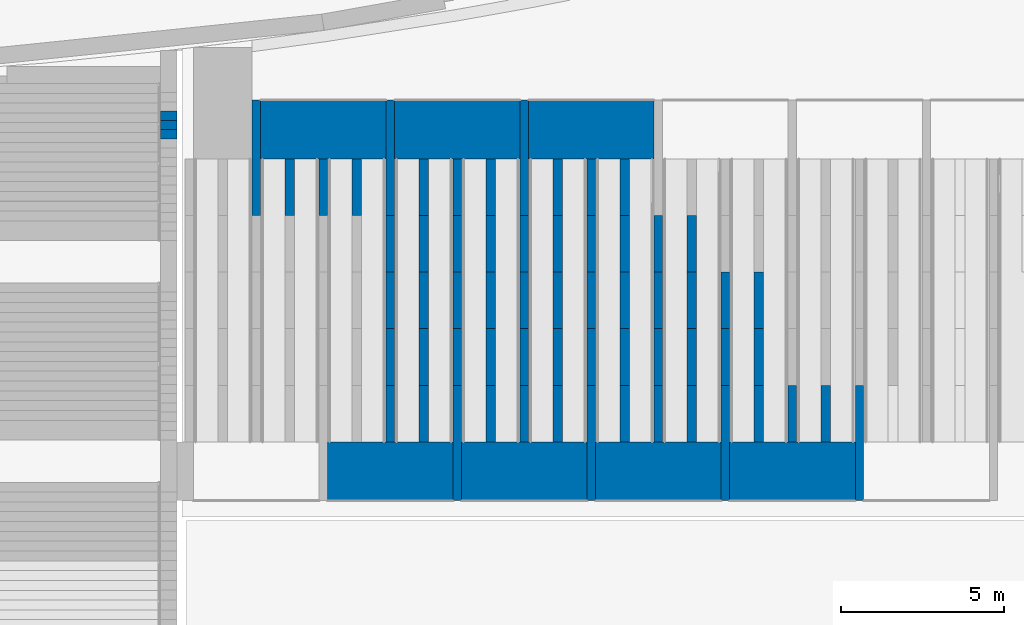
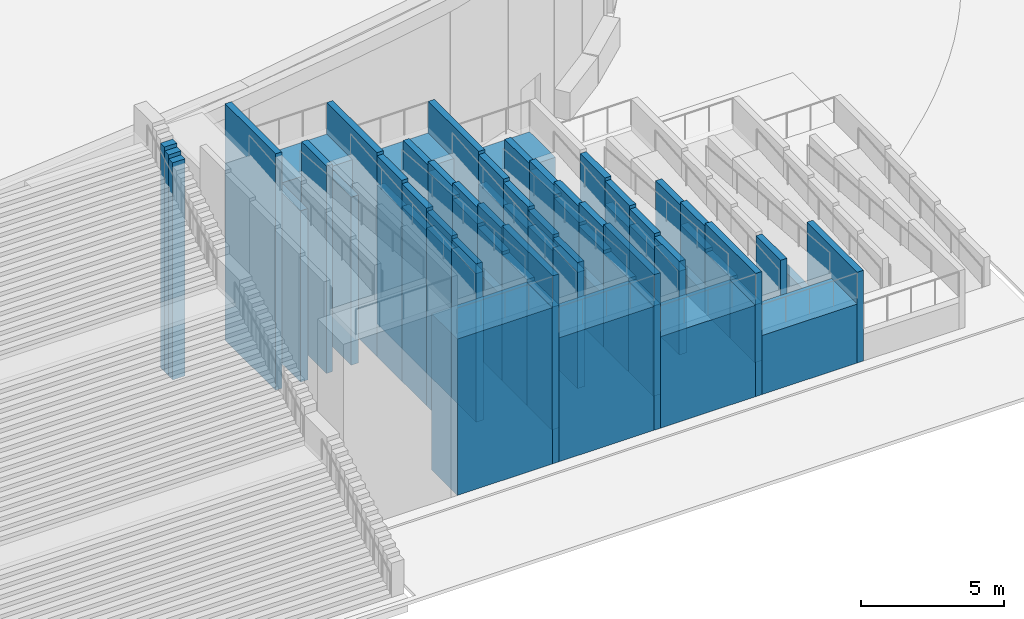
# One storey, part 8 of 29: 71 walls.
"""IFC4 building model written with IfcOpenShell, lengths in metres."""

import ifcopenshell
import ifcopenshell.guid

model = None  # the IFC model being written
_history = None  # IfcOwnerHistory: only IFC2X3 demands one
_inside = {}  # id of a spatial element -> (the spatial element, [elements in it])
_under = {}  # id of a project, library or spatial element -> (it, [spatial elements below it])
_declared = {}  # id of a project -> (the project, [libraries it declares])
_typed = {}  # id of a type object -> (the type object, [elements of that type])
_made_of = {}  # id of a material, layer set ... -> (it, [elements and type objects made of it])


def new_model(schema):
    """Start an empty IFC model of exactly this schema.

    Asked for "IFC4X3", IfcOpenShell would pick the latest addendum, in which some entities
    have other attributes; the version numbers below select the first issue.
    IFC2X3 requires an IfcOwnerHistory on every rooted entity: one is made here for all.
    """
    global model, _history
    if schema == "IFC4X3":
        model = ifcopenshell.file(schema_version=(4, 3, 0, 0))
    else:
        model = ifcopenshell.file(schema=schema)
    _inside.clear()
    _under.clear()
    _declared.clear()
    _typed.clear()
    _made_of.clear()
    _history = None
    if model.schema == "IFC2X3":
        org = make("IfcOrganization", Name="unknown")
        user = make(
            "IfcPersonAndOrganization",
            ThePerson=make("IfcPerson", FamilyName="unknown"),
            TheOrganization=org,
        )
        app = make(
            "IfcApplication",
            ApplicationDeveloper=org,
            Version="unknown",
            ApplicationFullName="unknown",
            ApplicationIdentifier="unknown",
        )
        _history = make(
            "IfcOwnerHistory",
            OwningUser=user,
            OwningApplication=app,
            ChangeAction="ADDED",
            CreationDate=0,
        )
    return model


def make(cls, **values):
    """One entity of the class cls with the attributes given. An attribute that is None is left unset."""
    return model.create_entity(
        cls, **{name: value for name, value in values.items() if value is not None}
    )


def rooted(cls, **values):
    """An entity with a GlobalId (a new one), such as an element, a storey or a relation."""
    return make(cls, GlobalId=ifcopenshell.guid.new(), OwnerHistory=_history, **values)


def si_unit(unit_type, name, prefix=None):
    """IfcSIUnit, for example si_unit("LENGTHUNIT", "METRE", prefix="MILLI")."""
    return make("IfcSIUnit", UnitType=unit_type, Prefix=prefix, Name=name)


def assignment(units):
    """IfcUnitAssignment: the units of a project."""
    return None if units is None else make("IfcUnitAssignment", Units=units)


def point(xyz):
    """IfcCartesianPoint."""
    return None if xyz is None else make("IfcCartesianPoint", Coordinates=xyz)


def direction(xyz):
    """IfcDirection."""
    return None if xyz is None else make("IfcDirection", DirectionRatios=xyz)


def frame(location, z_axis=None, x_axis=None):
    """IfcAxis2Placement3D, a coordinate frame: its origin and axes. An axis left out is left unset."""
    return make(
        "IfcAxis2Placement3D",
        Location=point(location),
        Axis=direction(z_axis),
        RefDirection=direction(x_axis),
    )


def frame_2d(location, x_axis=None):
    """IfcAxis2Placement2D, a coordinate frame in the plane: its origin and x axis."""
    return make(
        "IfcAxis2Placement2D", Location=point(location), RefDirection=direction(x_axis)
    )


def origin():
    """The frame at (0, 0, 0) with its axes left unset."""
    return frame((0.0, 0.0, 0.0))


def place(relative_to, where):
    """IfcLocalPlacement: puts the frame where relative to a parent placement (None: the world)."""
    return make(
        "IfcLocalPlacement", PlacementRelTo=relative_to, RelativePlacement=where
    )


def context(
    kind, dimensions, precision=None, world=None, true_north=None, identifier=None
):
    """IfcGeometricRepresentationContext, for example the 3D "Model" context."""
    return make(
        "IfcGeometricRepresentationContext",
        ContextIdentifier=identifier,
        ContextType=kind,
        CoordinateSpaceDimension=dimensions,
        Precision=precision,
        WorldCoordinateSystem=world,
        TrueNorth=true_north,
    )


def subcontext(parent, identifier, kind, view, scale=None):
    """IfcGeometricRepresentationSubContext, for example "Body" below "Model"."""
    return make(
        "IfcGeometricRepresentationSubContext",
        ContextIdentifier=identifier,
        ContextType=kind,
        ParentContext=parent,
        TargetScale=scale,
        TargetView=view,
    )


def project(units=None, contexts=None):
    """IfcProject with its units and contexts."""
    return rooted(
        "IfcProject",
        Name="project",
        RepresentationContexts=contexts,
        UnitsInContext=assignment(units),
    )


def spatial(cls, under=None, at=None, **own):
    """A site, building, storey or space (cls), placed at a placement, below another one or the project."""
    s = rooted(cls, ObjectPlacement=at, **own)
    if under is not None:
        _under.setdefault(under.id(), (under, []))[1].append(s)
    return s


def profile(cls, at=None, kind="AREA", **sizes):
    """A parametric profile (cls). Its sizes go by their IFC names, for example OverallWidth=200.0."""
    return make(cls, ProfileType=kind, Position=at, **sizes)


def rectangle(**sizes):
    """IfcRectangleProfileDef."""
    return profile("IfcRectangleProfileDef", **sizes)


def extrude(swept, where, along, depth):
    """IfcExtrudedAreaSolid: the profile swept, set in the frame where, extruded along a direction by depth."""
    return make(
        "IfcExtrudedAreaSolid",
        SweptArea=swept,
        Position=where,
        ExtrudedDirection=direction(along),
        Depth=depth,
    )


def shape(context_of_items, identifier, shape_type, items):
    """IfcShapeRepresentation: the items that make up one representation, for example the "Body"."""
    return make(
        "IfcShapeRepresentation",
        ContextOfItems=context_of_items,
        RepresentationIdentifier=identifier,
        RepresentationType=shape_type,
        Items=items,
    )


def material(Name=None, Category=None):
    """IfcMaterial."""
    return make("IfcMaterial", Name=Name, Category=Category)


def layer(
    of_material, thickness, ventilated=None, Name=None, Category=None, Priority=None
):
    """IfcMaterialLayer: one layer of a wall or slab, of a material (None: an air gap)."""
    return make(
        "IfcMaterialLayer",
        Material=of_material,
        LayerThickness=thickness,
        IsVentilated=ventilated,
        Name=Name,
        Category=Category,
        Priority=Priority,
    )


def layer_set(layers, Name=None):
    """IfcMaterialLayerSet."""
    return make("IfcMaterialLayerSet", MaterialLayers=layers, LayerSetName=Name)


def made_of(thing, what):
    """Note that an element or type object is made of a material, layer set ...; save() writes the relation."""
    if what is not None:
        _made_of.setdefault(what.id(), (what, []))[1].append(thing)
    return thing


def type_object(cls, material=None, **own):
    """A type object (cls), such as IfcWallType, which elements share."""
    return made_of(rooted(cls, **own), material)


def element(
    cls,
    number,
    at=None,
    inside=None,
    cuts=None,
    type_object=None,
    material=None,
    context=None,
    identifier="Body",
    shape_type=None,
    held_by="IfcProductDefinitionShape",
    body=None,
    shapes=None,
    **own,
):
    """One element of the class cls, such as IfcWall. Its Tag is "e" and its number.

    at: its placement. inside: the storey or other place that contains it. cuts: it is an
    opening in that element (IfcRelVoidsElement). A single representation is given by context,
    identifier, shape_type and body (its items); several are given by shapes. held_by: the class
    of the entity that holds the representations. save() writes the other relations.
    """
    e = rooted(cls, Tag="e%d" % number, ObjectPlacement=at, **own)
    if body is not None:
        shapes = [shape(context, identifier, shape_type, body)]
    if shapes is not None:
        e.Representation = make(held_by, Representations=shapes)
    if inside is not None:
        _inside.setdefault(inside.id(), (inside, []))[1].append(e)
    if cuts is not None:
        rooted(
            "IfcRelVoidsElement", RelatingBuildingElement=cuts, RelatedOpeningElement=e
        )
    if type_object is not None:
        _typed.setdefault(type_object.id(), (type_object, []))[1].append(e)
    return made_of(e, material)


def aggregate(whole, parts):
    """IfcRelAggregates: a whole, such as a stair, and the parts it consists of."""
    return rooted("IfcRelAggregates", RelatingObject=whole, RelatedObjects=parts)


def save(model, path):
    """Write the relations noted so far, then the file.

    IfcRelAggregates (storeys below a building ...), IfcRelContainedInSpatialStructure (elements
    in a storey), IfcRelDefinesByType, IfcRelAssociatesMaterial and IfcRelDeclares: one each for
    every whole, place, type object, material and project.
    """
    for whole, parts in _under.values():
        aggregate(whole, parts)
    for where, things in _inside.values():
        rooted(
            "IfcRelContainedInSpatialStructure",
            RelatedElements=things,
            RelatingStructure=where,
        )
    for kind, things in _typed.values():
        rooted("IfcRelDefinesByType", RelatedObjects=things, RelatingType=kind)
    for what, things in _made_of.values():
        rooted("IfcRelAssociatesMaterial", RelatedObjects=things, RelatingMaterial=what)
    for by, libraries in _declared.values():
        rooted("IfcRelDeclares", RelatingContext=by, RelatedDefinitions=libraries)
    model.write(path)


model = new_model("IFC4")

# Units and contexts
model_context = context("Model", 3, precision=1e-05, world=origin(), true_north=direction((0.0, 1.0)))
body_context = subcontext(model_context, "Body", "Model", "MODEL_VIEW")
ifc_project = project(units=[si_unit("LENGTHUNIT", "METRE"), si_unit("AREAUNIT", "SQUARE_METRE"), si_unit("VOLUMEUNIT", "CUBIC_METRE"), si_unit("PLANEANGLEUNIT", "RADIAN"), si_unit("MASSUNIT", "GRAM", prefix="KILO")], contexts=[model_context])

# Site, building, storey
site_placement = place(None, origin())
site = spatial("IfcSite", under=ifc_project, at=site_placement, CompositionType="ELEMENT")
building_placement = place(site_placement, origin())
building = spatial("IfcBuilding", under=site, at=building_placement, Name="Sierra Prisma Convention Tower", CompositionType="ELEMENT")
storey_placement = place(building_placement, origin())
storey = spatial("IfcBuildingStorey", under=building, at=storey_placement, Name="L00", CompositionType="ELEMENT", Elevation=0.0)

# Walls
ifc_material_1 = material(Name="Concrete C35/45, rose plaster finish", Category="concrete")
ifc_layer_1 = layer(ifc_material_1, 0.5)
ifc_layer_set_1 = layer_set([ifc_layer_1], Name="Garden steps cheek wall 500")
wall_type_1 = type_object("IfcWallType", Name="Garden steps cheek wall 500", PredefinedType="STANDARD", material=ifc_layer_set_1)
wall_1_placement = place(storey_placement, frame((17.949951171875, -57.184326171875, 0.0), z_axis=(0.0, 0.0, 1.0), x_axis=(0.0, 1.0, 0.0)))
element("IfcWall", 1, at=wall_1_placement, inside=storey, type_object=wall_type_1, Name="Garden steps cheek wall east 45", PredefinedType="STANDARD", context=body_context, shape_type="SweptSolid", body=[
    extrude(rectangle(XDim=0.2822265625, YDim=0.5, at=frame_2d((0.14111328125, 0.0))), origin(), (0.0, 0.0, 1.0), 9.26953125),
])
wall_2_placement = place(storey_placement, frame((17.949951171875, -56.902099609375, 0.0), z_axis=(0.0, 0.0, 1.0), x_axis=(0.0, 1.0, 0.0)))
element("IfcWall", 2, at=wall_2_placement, inside=storey, type_object=wall_type_1, Name="Garden steps cheek wall east 46", PredefinedType="STANDARD", context=body_context, shape_type="SweptSolid", body=[
    extrude(rectangle(XDim=0.282470703125, YDim=0.5, at=frame_2d((0.14111328125, 0.0))), origin(), (0.0, 0.0, 1.0), 9.435546875),
])
wall_3_placement = place(storey_placement, frame((17.949951171875, -56.61962890625, 0.0), z_axis=(0.0, 0.0, 1.0), x_axis=(0.0, 1.0, 0.0)))
element("IfcWall", 3, at=wall_3_placement, inside=storey, type_object=wall_type_1, Name="Garden steps cheek wall east 47", PredefinedType="STANDARD", context=body_context, shape_type="SweptSolid", body=[
    extrude(rectangle(XDim=0.2822265625, YDim=0.5, at=frame_2d((0.14111328125, 0.0))), origin(), (0.0, 0.0, 1.0), 9.601806640625),
])
ifc_material_2 = material(Name="Concrete C35/45, rose plaster finish", Category="concrete")
ifc_layer_2 = layer(ifc_material_2, 0.25)
ifc_layer_set_2 = layer_set([ifc_layer_2], Name="Ramp guard wall 250")
wall_type_2 = type_object("IfcWallType", Name="Ramp guard wall 250", PredefinedType="STANDARD", material=ifc_layer_set_2)
wall_4_placement = place(storey_placement, frame((39.074951171875, -68.25390625, 0.0), z_axis=(0.0, 0.0, 1.0), x_axis=(0.0, 1.0, 0.0)))
element("IfcWall", 4, at=wall_4_placement, inside=storey, type_object=wall_type_2, Name="Accessible ramp guard wall 4 1", PredefinedType="STANDARD", context=body_context, shape_type="SweptSolid", body=[
    extrude(rectangle(XDim=3.53076171875, YDim=0.25, at=frame_2d((1.765380859375, 0.0))), origin(), (0.0, 0.0, 1.0), 3.869140625),
])
wall_5_placement = place(storey_placement, frame((37.02490234375, -66.453857421875, 0.0), z_axis=(0.0, 0.0, 1.0), x_axis=(0.0, 1.0, 0.0)))
element("IfcWall", 5, at=wall_5_placement, inside=storey, type_object=wall_type_2, Name="Accessible ramp guard wall 5 1", PredefinedType="STANDARD", context=body_context, shape_type="SweptSolid", body=[
    extrude(rectangle(XDim=1.730712890625, YDim=0.25, at=frame_2d((0.865234375, 0.0))), origin(), (0.0, 0.0, 1.0), 4.0078125),
])
wall_6_placement = place(storey_placement, frame((34.97509765625, -68.25390625, 0.0), z_axis=(0.0, 0.0, 1.0), x_axis=(0.0, 1.0, 0.0)))
element("IfcWall", 6, at=wall_6_placement, inside=storey, type_object=wall_type_2, Name="Accessible ramp guard wall 6 1", PredefinedType="STANDARD", context=body_context, shape_type="SweptSolid", body=[
    extrude(rectangle(XDim=3.53076171875, YDim=0.25, at=frame_2d((1.765380859375, 0.0))), origin(), (0.0, 0.0, 1.0), 5.25390625),
])
wall_7_placement = place(storey_placement, frame((34.97509765625, -64.72314453125, 0.0), z_axis=(0.0, 0.0, 1.0), x_axis=(0.0, 1.0, 0.0)))
element("IfcWall", 7, at=wall_7_placement, inside=storey, type_object=wall_type_2, Name="Accessible ramp guard wall 6 2", PredefinedType="STANDARD", context=body_context, shape_type="SweptSolid", body=[
    extrude(rectangle(XDim=1.73095703125, YDim=0.25, at=frame_2d((0.865478515625, 0.0))), origin(), (0.0, 0.0, 1.0), 5.115234375),
])
wall_8_placement = place(storey_placement, frame((34.97509765625, -62.9921875, 0.0), z_axis=(0.0, 0.0, 1.0), x_axis=(0.0, 1.0, 0.0)))
element("IfcWall", 8, at=wall_8_placement, inside=storey, type_object=wall_type_2, Name="Accessible ramp guard wall 6 3", PredefinedType="STANDARD", context=body_context, shape_type="SweptSolid", body=[
    extrude(rectangle(XDim=1.73046875, YDim=0.25, at=frame_2d((0.865234375, 0.0))), origin(), (0.0, 0.0, 1.0), 4.976806640625),
])
wall_9_placement = place(storey_placement, frame((32.925048828125, -66.453857421875, 0.0), z_axis=(0.0, 0.0, 1.0), x_axis=(0.0, 1.0, 0.0)))
element("IfcWall", 9, at=wall_9_placement, inside=storey, type_object=wall_type_2, Name="Accessible ramp guard wall 7 1", PredefinedType="STANDARD", context=body_context, shape_type="SweptSolid", body=[
    extrude(rectangle(XDim=1.730712890625, YDim=0.25, at=frame_2d((0.865234375, 0.0))), origin(), (0.0, 0.0, 1.0), 5.392333984375),
])
wall_10_placement = place(storey_placement, frame((32.925048828125, -64.72314453125, 0.0), z_axis=(0.0, 0.0, 1.0), x_axis=(0.0, 1.0, 0.0)))
element("IfcWall", 10, at=wall_10_placement, inside=storey, type_object=wall_type_2, Name="Accessible ramp guard wall 7 2", PredefinedType="STANDARD", context=body_context, shape_type="SweptSolid", body=[
    extrude(rectangle(XDim=1.73095703125, YDim=0.25, at=frame_2d((0.865478515625, 0.0))), origin(), (0.0, 0.0, 1.0), 5.53076171875),
])
wall_11_placement = place(storey_placement, frame((32.925048828125, -62.9921875, 0.0), z_axis=(0.0, 0.0, 1.0), x_axis=(0.0, 1.0, 0.0)))
element("IfcWall", 11, at=wall_11_placement, inside=storey, type_object=wall_type_2, Name="Accessible ramp guard wall 7 3", PredefinedType="STANDARD", context=body_context, shape_type="SweptSolid", body=[
    extrude(rectangle(XDim=1.73046875, YDim=0.25, at=frame_2d((0.865234375, 0.0))), origin(), (0.0, 0.0, 1.0), 5.669189453125),
])
wall_12_placement = place(storey_placement, frame((32.925048828125, -61.26171875, 0.0), z_axis=(0.0, 0.0, 1.0), x_axis=(0.0, 1.0, 0.0)))
element("IfcWall", 12, at=wall_12_placement, inside=storey, type_object=wall_type_2, Name="Accessible ramp guard wall 7 4", PredefinedType="STANDARD", context=body_context, shape_type="SweptSolid", body=[
    extrude(rectangle(XDim=1.73095703125, YDim=0.25, at=frame_2d((0.865478515625, 0.0))), origin(), (0.0, 0.0, 1.0), 5.8076171875),
])
wall_13_placement = place(storey_placement, frame((30.875, -68.25390625, 0.0), z_axis=(0.0, 0.0, 1.0), x_axis=(0.0, 1.0, 0.0)))
element("IfcWall", 13, at=wall_13_placement, inside=storey, type_object=wall_type_2, Name="Accessible ramp guard wall 8 1", PredefinedType="STANDARD", context=body_context, shape_type="SweptSolid", body=[
    extrude(rectangle(XDim=3.53076171875, YDim=0.25, at=frame_2d((1.765380859375, 0.0))), origin(), (0.0, 0.0, 1.0), 6.638427734375),
])
wall_14_placement = place(storey_placement, frame((30.875, -64.72314453125, 0.0), z_axis=(0.0, 0.0, 1.0), x_axis=(0.0, 1.0, 0.0)))
element("IfcWall", 14, at=wall_14_placement, inside=storey, type_object=wall_type_2, Name="Accessible ramp guard wall 8 2", PredefinedType="STANDARD", context=body_context, shape_type="SweptSolid", body=[
    extrude(rectangle(XDim=1.73095703125, YDim=0.25, at=frame_2d((0.865478515625, 0.0))), origin(), (0.0, 0.0, 1.0), 6.5),
])
wall_15_placement = place(storey_placement, frame((30.875, -62.9921875, 0.0), z_axis=(0.0, 0.0, 1.0), x_axis=(0.0, 1.0, 0.0)))
element("IfcWall", 15, at=wall_15_placement, inside=storey, type_object=wall_type_2, Name="Accessible ramp guard wall 8 3", PredefinedType="STANDARD", context=body_context, shape_type="SweptSolid", body=[
    extrude(rectangle(XDim=1.73046875, YDim=0.25, at=frame_2d((0.865234375, 0.0))), origin(), (0.0, 0.0, 1.0), 6.361572265625),
])
wall_16_placement = place(storey_placement, frame((30.875, -61.26171875, 0.0), z_axis=(0.0, 0.0, 1.0), x_axis=(0.0, 1.0, 0.0)))
element("IfcWall", 16, at=wall_16_placement, inside=storey, type_object=wall_type_2, Name="Accessible ramp guard wall 8 4", PredefinedType="STANDARD", context=body_context, shape_type="SweptSolid", body=[
    extrude(rectangle(XDim=1.73095703125, YDim=0.25, at=frame_2d((0.865478515625, 0.0))), origin(), (0.0, 0.0, 1.0), 6.22314453125),
])
wall_17_placement = place(storey_placement, frame((30.875, -59.53076171875, 0.0), z_axis=(0.0, 0.0, 1.0), x_axis=(0.0, 1.0, 0.0)))
element("IfcWall", 17, at=wall_17_placement, inside=storey, type_object=wall_type_2, Name="Accessible ramp guard wall 8 5", PredefinedType="STANDARD", context=body_context, shape_type="SweptSolid", body=[
    extrude(rectangle(XDim=1.730712890625, YDim=0.25, at=frame_2d((0.865234375, 0.0))), origin(), (0.0, 0.0, 1.0), 6.084716796875),
])
wall_18_placement = place(storey_placement, frame((28.824951171875, -66.453857421875, 0.0), z_axis=(0.0, 0.0, 1.0), x_axis=(0.0, 1.0, 0.0)))
element("IfcWall", 18, at=wall_18_placement, inside=storey, type_object=wall_type_2, Name="Accessible ramp guard wall 9 1", PredefinedType="STANDARD", context=body_context, shape_type="SweptSolid", body=[
    extrude(rectangle(XDim=1.730712890625, YDim=0.25, at=frame_2d((0.865234375, 0.0))), origin(), (0.0, 0.0, 1.0), 6.777099609375),
])
wall_19_placement = place(storey_placement, frame((28.824951171875, -64.72314453125, 0.0), z_axis=(0.0, 0.0, 1.0), x_axis=(0.0, 1.0, 0.0)))
element("IfcWall", 19, at=wall_19_placement, inside=storey, type_object=wall_type_2, Name="Accessible ramp guard wall 9 2", PredefinedType="STANDARD", context=body_context, shape_type="SweptSolid", body=[
    extrude(rectangle(XDim=1.73095703125, YDim=0.25, at=frame_2d((0.865478515625, 0.0))), origin(), (0.0, 0.0, 1.0), 6.915283203125),
])
wall_20_placement = place(storey_placement, frame((28.824951171875, -62.9921875, 0.0), z_axis=(0.0, 0.0, 1.0), x_axis=(0.0, 1.0, 0.0)))
element("IfcWall", 20, at=wall_20_placement, inside=storey, type_object=wall_type_2, Name="Accessible ramp guard wall 9 3", PredefinedType="STANDARD", context=body_context, shape_type="SweptSolid", body=[
    extrude(rectangle(XDim=1.73046875, YDim=0.25, at=frame_2d((0.865234375, 0.0))), origin(), (0.0, 0.0, 1.0), 7.053955078125),
])
wall_21_placement = place(storey_placement, frame((28.824951171875, -61.26171875, 0.0), z_axis=(0.0, 0.0, 1.0), x_axis=(0.0, 1.0, 0.0)))
element("IfcWall", 21, at=wall_21_placement, inside=storey, type_object=wall_type_2, Name="Accessible ramp guard wall 9 4", PredefinedType="STANDARD", context=body_context, shape_type="SweptSolid", body=[
    extrude(rectangle(XDim=1.73095703125, YDim=0.25, at=frame_2d((0.865478515625, 0.0))), origin(), (0.0, 0.0, 1.0), 7.1923828125),
])
wall_22_placement = place(storey_placement, frame((28.824951171875, -59.53076171875, 0.0), z_axis=(0.0, 0.0, 1.0), x_axis=(0.0, 1.0, 0.0)))
element("IfcWall", 22, at=wall_22_placement, inside=storey, type_object=wall_type_2, Name="Accessible ramp guard wall 9 5", PredefinedType="STANDARD", context=body_context, shape_type="SweptSolid", body=[
    extrude(rectangle(XDim=3.53076171875, YDim=0.25, at=frame_2d((1.765380859375, 0.0))), origin(), (0.0, 0.0, 1.0), 7.330810546875),
])
wall_23_placement = place(storey_placement, frame((26.77490234375, -68.25390625, 0.0), z_axis=(0.0, 0.0, 1.0), x_axis=(0.0, 1.0, 0.0)))
element("IfcWall", 23, at=wall_23_placement, inside=storey, type_object=wall_type_2, Name="Accessible ramp guard wall 10 1", PredefinedType="STANDARD", context=body_context, shape_type="SweptSolid", body=[
    extrude(rectangle(XDim=3.53076171875, YDim=0.25, at=frame_2d((1.765380859375, 0.0))), origin(), (0.0, 0.0, 1.0), 8.023193359375),
])
wall_24_placement = place(storey_placement, frame((26.77490234375, -64.72314453125, 0.0), z_axis=(0.0, 0.0, 1.0), x_axis=(0.0, 1.0, 0.0)))
element("IfcWall", 24, at=wall_24_placement, inside=storey, type_object=wall_type_2, Name="Accessible ramp guard wall 10 2", PredefinedType="STANDARD", context=body_context, shape_type="SweptSolid", body=[
    extrude(rectangle(XDim=1.73095703125, YDim=0.25, at=frame_2d((0.865478515625, 0.0))), origin(), (0.0, 0.0, 1.0), 7.884521484375),
])
wall_25_placement = place(storey_placement, frame((26.77490234375, -62.9921875, 0.0), z_axis=(0.0, 0.0, 1.0), x_axis=(0.0, 1.0, 0.0)))
element("IfcWall", 25, at=wall_25_placement, inside=storey, type_object=wall_type_2, Name="Accessible ramp guard wall 10 3", PredefinedType="STANDARD", context=body_context, shape_type="SweptSolid", body=[
    extrude(rectangle(XDim=1.73046875, YDim=0.25, at=frame_2d((0.865234375, 0.0))), origin(), (0.0, 0.0, 1.0), 7.74609375),
])
wall_26_placement = place(storey_placement, frame((26.77490234375, -61.26171875, 0.0), z_axis=(0.0, 0.0, 1.0), x_axis=(0.0, 1.0, 0.0)))
element("IfcWall", 26, at=wall_26_placement, inside=storey, type_object=wall_type_2, Name="Accessible ramp guard wall 10 4", PredefinedType="STANDARD", context=body_context, shape_type="SweptSolid", body=[
    extrude(rectangle(XDim=1.73095703125, YDim=0.25, at=frame_2d((0.865478515625, 0.0))), origin(), (0.0, 0.0, 1.0), 7.607666015625),
])
wall_27_placement = place(storey_placement, frame((26.77490234375, -59.53076171875, 0.0), z_axis=(0.0, 0.0, 1.0), x_axis=(0.0, 1.0, 0.0)))
element("IfcWall", 27, at=wall_27_placement, inside=storey, type_object=wall_type_2, Name="Accessible ramp guard wall 10 5", PredefinedType="STANDARD", context=body_context, shape_type="SweptSolid", body=[
    extrude(rectangle(XDim=1.730712890625, YDim=0.25, at=frame_2d((0.865234375, 0.0))), origin(), (0.0, 0.0, 1.0), 7.46923828125),
])
wall_28_placement = place(storey_placement, frame((24.72509765625, -66.453857421875, 0.0), z_axis=(0.0, 0.0, 1.0), x_axis=(0.0, 1.0, 0.0)))
element("IfcWall", 28, at=wall_28_placement, inside=storey, type_object=wall_type_2, Name="Accessible ramp guard wall 11 1", PredefinedType="STANDARD", context=body_context, shape_type="SweptSolid", body=[
    extrude(rectangle(XDim=1.730712890625, YDim=0.25, at=frame_2d((0.865234375, 0.0))), origin(), (0.0, 0.0, 1.0), 8.16162109375),
])
wall_29_placement = place(storey_placement, frame((24.72509765625, -64.72314453125, 0.0), z_axis=(0.0, 0.0, 1.0), x_axis=(0.0, 1.0, 0.0)))
element("IfcWall", 29, at=wall_29_placement, inside=storey, type_object=wall_type_2, Name="Accessible ramp guard wall 11 2", PredefinedType="STANDARD", context=body_context, shape_type="SweptSolid", body=[
    extrude(rectangle(XDim=1.73095703125, YDim=0.25, at=frame_2d((0.865478515625, 0.0))), origin(), (0.0, 0.0, 1.0), 8.300048828125),
])
wall_30_placement = place(storey_placement, frame((24.72509765625, -62.9921875, 0.0), z_axis=(0.0, 0.0, 1.0), x_axis=(0.0, 1.0, 0.0)))
element("IfcWall", 30, at=wall_30_placement, inside=storey, type_object=wall_type_2, Name="Accessible ramp guard wall 11 3", PredefinedType="STANDARD", context=body_context, shape_type="SweptSolid", body=[
    extrude(rectangle(XDim=1.73046875, YDim=0.25, at=frame_2d((0.865234375, 0.0))), origin(), (0.0, 0.0, 1.0), 8.4384765625),
])
wall_31_placement = place(storey_placement, frame((24.72509765625, -61.26171875, 0.0), z_axis=(0.0, 0.0, 1.0), x_axis=(0.0, 1.0, 0.0)))
element("IfcWall", 31, at=wall_31_placement, inside=storey, type_object=wall_type_2, Name="Accessible ramp guard wall 11 4", PredefinedType="STANDARD", context=body_context, shape_type="SweptSolid", body=[
    extrude(rectangle(XDim=1.73095703125, YDim=0.25, at=frame_2d((0.865478515625, 0.0))), origin(), (0.0, 0.0, 1.0), 8.576904296875),
])
wall_32_placement = place(storey_placement, frame((24.72509765625, -59.53076171875, 0.0), z_axis=(0.0, 0.0, 1.0), x_axis=(0.0, 1.0, 0.0)))
element("IfcWall", 32, at=wall_32_placement, inside=storey, type_object=wall_type_2, Name="Accessible ramp guard wall 11 5", PredefinedType="STANDARD", context=body_context, shape_type="SweptSolid", body=[
    extrude(rectangle(XDim=3.53076171875, YDim=0.25, at=frame_2d((1.765380859375, 0.0))), origin(), (0.0, 0.0, 1.0), 8.71533203125),
])
wall_33_placement = place(storey_placement, frame((22.675048828125, -59.53076171875, 0.0), z_axis=(0.0, 0.0, 1.0), x_axis=(0.0, 1.0, 0.0)))
element("IfcWall", 33, at=wall_33_placement, inside=storey, type_object=wall_type_2, Name="Accessible ramp guard wall 12 5", PredefinedType="STANDARD", context=body_context, shape_type="SweptSolid", body=[
    extrude(rectangle(XDim=1.730712890625, YDim=0.25, at=frame_2d((0.865234375, 0.0))), origin(), (0.0, 0.0, 1.0), 8.85400390625),
])
wall_34_placement = place(storey_placement, frame((20.625, -59.53076171875, 0.0), z_axis=(0.0, 0.0, 1.0), x_axis=(0.0, 1.0, 0.0)))
element("IfcWall", 34, at=wall_34_placement, inside=storey, type_object=wall_type_2, Name="Accessible ramp guard wall 13 5", PredefinedType="STANDARD", context=body_context, shape_type="SweptSolid", body=[
    extrude(rectangle(XDim=3.53076171875, YDim=0.25, at=frame_2d((1.765380859375, 0.0))), origin(), (0.0, 0.0, 1.0), 10.10009765625),
])
ifc_material_3 = material(Name="Concrete C35/45", Category="concrete")
ifc_layer_3 = layer(ifc_material_3, 1.800048828125)
ifc_layer_set_3 = layer_set([ifc_layer_3], Name="Ramp landing support 1800")
wall_type_3 = type_object("IfcWallType", Name="Ramp landing support 1800", PredefinedType="STANDARD", material=ifc_layer_set_3)
wall_35_placement = place(storey_placement, frame((35.10009765625, -67.353759765625, 0.0), z_axis=(0.0, 0.0, 1.0), x_axis=(1.0, 0.0, 0.0)))
element("IfcWall", 35, at=wall_35_placement, inside=storey, type_object=wall_type_3, Name="Accessible ramp landing support 2", PredefinedType="STANDARD", context=body_context, shape_type="SweptSolid", body=[
    extrude(rectangle(XDim=3.849853515625, YDim=1.800048828125, at=frame_2d((1.9248046875, 0.0))), origin(), (0.0, 0.0, 1.0), 2.519287109375),
])
wall_36_placement = place(storey_placement, frame((31.0, -67.353759765625, 0.0), z_axis=(0.0, 0.0, 1.0), x_axis=(1.0, 0.0, 0.0)))
element("IfcWall", 36, at=wall_36_placement, inside=storey, type_object=wall_type_3, Name="Accessible ramp landing support 3", PredefinedType="STANDARD", context=body_context, shape_type="SweptSolid", body=[
    extrude(rectangle(XDim=3.85009765625, YDim=1.800048828125, at=frame_2d((1.925048828125, 0.0))), origin(), (0.0, 0.0, 1.0), 3.90380859375),
])
wall_37_placement = place(storey_placement, frame((26.89990234375, -67.353759765625, 0.0), z_axis=(0.0, 0.0, 1.0), x_axis=(1.0, 0.0, 0.0)))
element("IfcWall", 37, at=wall_37_placement, inside=storey, type_object=wall_type_3, Name="Accessible ramp landing support 4", PredefinedType="STANDARD", context=body_context, shape_type="SweptSolid", body=[
    extrude(rectangle(XDim=3.85009765625, YDim=1.800048828125, at=frame_2d((1.925048828125, 0.0))), origin(), (0.0, 0.0, 1.0), 5.28857421875),
])
wall_38_placement = place(storey_placement, frame((22.800048828125, -67.353759765625, 0.0), z_axis=(0.0, 0.0, 1.0), x_axis=(1.0, 0.0, 0.0)))
element("IfcWall", 38, at=wall_38_placement, inside=storey, type_object=wall_type_3, Name="Accessible ramp landing support 5", PredefinedType="STANDARD", context=body_context, shape_type="SweptSolid", body=[
    extrude(rectangle(XDim=3.849853515625, YDim=1.800048828125, at=frame_2d((1.9248046875, 0.0))), origin(), (0.0, 0.0, 1.0), 6.673095703125),
])
wall_39_placement = place(storey_placement, frame((28.949951171875, -56.89990234375, 0.0), z_axis=(0.0, 0.0, 1.0), x_axis=(1.0, 0.0, 0.0)))
element("IfcWall", 39, at=wall_39_placement, inside=storey, type_object=wall_type_3, Name="Accessible ramp landing support 10", PredefinedType="STANDARD", context=body_context, shape_type="SweptSolid", body=[
    extrude(rectangle(XDim=3.85009765625, YDim=1.800048828125, at=frame_2d((1.925048828125, 0.0))), origin(), (0.0, 0.0, 1.0), 4.59619140625),
])
wall_40_placement = place(storey_placement, frame((24.85009765625, -56.89990234375, 0.0), z_axis=(0.0, 0.0, 1.0), x_axis=(1.0, 0.0, 0.0)))
element("IfcWall", 40, at=wall_40_placement, inside=storey, type_object=wall_type_3, Name="Accessible ramp landing support 11", PredefinedType="STANDARD", context=body_context, shape_type="SweptSolid", body=[
    extrude(rectangle(XDim=3.849853515625, YDim=1.800048828125, at=frame_2d((1.9248046875, 0.0))), origin(), (0.0, 0.0, 1.0), 5.980712890625),
])
wall_41_placement = place(storey_placement, frame((20.75, -56.89990234375, 0.0), z_axis=(0.0, 0.0, 1.0), x_axis=(1.0, 0.0, 0.0)))
element("IfcWall", 41, at=wall_41_placement, inside=storey, type_object=wall_type_3, Name="Accessible ramp landing support 12", PredefinedType="STANDARD", context=body_context, shape_type="SweptSolid", body=[
    extrude(rectangle(XDim=3.85009765625, YDim=1.800048828125, at=frame_2d((1.925048828125, 0.0))), origin(), (0.0, 0.0, 1.0), 7.365478515625),
])
ifc_material_4 = material(Name="Concrete C35/45", Category="concrete")
ifc_layer_4 = layer(ifc_material_4, 0.300048828125)
ifc_layer_set_4 = layer_set([ifc_layer_4], Name="Ramp spine wall 300")
wall_type_4 = type_object("IfcWallType", Name="Ramp spine wall 300", PredefinedType="STANDARD", material=ifc_layer_set_4)
wall_42_placement = place(storey_placement, frame((38.050048828125, -66.453857421875, 0.0), z_axis=(0.0, 0.0, 1.0), x_axis=(0.0, 1.0, 0.0)))
element("IfcWall", 42, at=wall_42_placement, inside=storey, type_object=wall_type_4, Name="Accessible ramp spine wall 4 1", PredefinedType="STANDARD", context=body_context, shape_type="SweptSolid", body=[
    extrude(rectangle(XDim=1.730712890625, YDim=0.300048828125, at=frame_2d((0.865234375, 0.0))), origin(), (0.0, 0.0, 1.0), 2.329833984375),
])
wall_43_placement = place(storey_placement, frame((36.0, -66.453857421875, 0.0), z_axis=(0.0, 0.0, 1.0), x_axis=(0.0, 1.0, 0.0)))
element("IfcWall", 43, at=wall_43_placement, inside=storey, type_object=wall_type_4, Name="Accessible ramp spine wall 5 1", PredefinedType="STANDARD", context=body_context, shape_type="SweptSolid", body=[
    extrude(rectangle(XDim=1.730712890625, YDim=0.300048828125, at=frame_2d((0.865234375, 0.0))), origin(), (0.0, 0.0, 1.0), 2.46826171875),
])
wall_44_placement = place(storey_placement, frame((36.0, -64.72314453125, 0.0), z_axis=(0.0, 0.0, 1.0), x_axis=(0.0, 1.0, 0.0)))
element("IfcWall", 44, at=wall_44_placement, inside=storey, type_object=wall_type_4, Name="Accessible ramp spine wall 5 2", PredefinedType="STANDARD", context=body_context, shape_type="SweptSolid", body=[
    extrude(rectangle(XDim=1.73095703125, YDim=0.300048828125, at=frame_2d((0.865478515625, 0.0))), origin(), (0.0, 0.0, 1.0), 2.606689453125),
])
wall_45_placement = place(storey_placement, frame((36.0, -62.9921875, 0.0), z_axis=(0.0, 0.0, 1.0), x_axis=(0.0, 1.0, 0.0)))
element("IfcWall", 45, at=wall_45_placement, inside=storey, type_object=wall_type_4, Name="Accessible ramp spine wall 5 3", PredefinedType="STANDARD", context=body_context, shape_type="SweptSolid", body=[
    extrude(rectangle(XDim=1.730712890625, YDim=0.300048828125, at=frame_2d((0.865234375, 0.0))), origin(), (0.0, 0.0, 1.0), 2.7451171875),
])
wall_46_placement = place(storey_placement, frame((33.949951171875, -66.453857421875, 0.0), z_axis=(0.0, 0.0, 1.0), x_axis=(0.0, 1.0, 0.0)))
element("IfcWall", 46, at=wall_46_placement, inside=storey, type_object=wall_type_4, Name="Accessible ramp spine wall 6 1", PredefinedType="STANDARD", context=body_context, shape_type="SweptSolid", body=[
    extrude(rectangle(XDim=1.730712890625, YDim=0.300048828125, at=frame_2d((0.865234375, 0.0))), origin(), (0.0, 0.0, 1.0), 3.71435546875),
])
wall_47_placement = place(storey_placement, frame((33.949951171875, -64.72314453125, 0.0), z_axis=(0.0, 0.0, 1.0), x_axis=(0.0, 1.0, 0.0)))
element("IfcWall", 47, at=wall_47_placement, inside=storey, type_object=wall_type_4, Name="Accessible ramp spine wall 6 2", PredefinedType="STANDARD", context=body_context, shape_type="SweptSolid", body=[
    extrude(rectangle(XDim=1.73095703125, YDim=0.300048828125, at=frame_2d((0.865478515625, 0.0))), origin(), (0.0, 0.0, 1.0), 3.575927734375),
])
wall_48_placement = place(storey_placement, frame((33.949951171875, -62.9921875, 0.0), z_axis=(0.0, 0.0, 1.0), x_axis=(0.0, 1.0, 0.0)))
element("IfcWall", 48, at=wall_48_placement, inside=storey, type_object=wall_type_4, Name="Accessible ramp spine wall 6 3", PredefinedType="STANDARD", context=body_context, shape_type="SweptSolid", body=[
    extrude(rectangle(XDim=1.730712890625, YDim=0.300048828125, at=frame_2d((0.865234375, 0.0))), origin(), (0.0, 0.0, 1.0), 3.4375),
])
wall_49_placement = place(storey_placement, frame((33.949951171875, -61.261474609375, 0.0), z_axis=(0.0, 0.0, 1.0), x_axis=(0.0, 1.0, 0.0)))
element("IfcWall", 49, at=wall_49_placement, inside=storey, type_object=wall_type_4, Name="Accessible ramp spine wall 6 4", PredefinedType="STANDARD", context=body_context, shape_type="SweptSolid", body=[
    extrude(rectangle(XDim=1.730712890625, YDim=0.300048828125, at=frame_2d((0.865234375, 0.0))), origin(), (0.0, 0.0, 1.0), 3.299072265625),
])
wall_50_placement = place(storey_placement, frame((31.89990234375, -66.453857421875, 0.0), z_axis=(0.0, 0.0, 1.0), x_axis=(0.0, 1.0, 0.0)))
element("IfcWall", 50, at=wall_50_placement, inside=storey, type_object=wall_type_4, Name="Accessible ramp spine wall 7 1", PredefinedType="STANDARD", context=body_context, shape_type="SweptSolid", body=[
    extrude(rectangle(XDim=1.730712890625, YDim=0.300048828125, at=frame_2d((0.865234375, 0.0))), origin(), (0.0, 0.0, 1.0), 3.852783203125),
])
wall_51_placement = place(storey_placement, frame((31.89990234375, -64.72314453125, 0.0), z_axis=(0.0, 0.0, 1.0), x_axis=(0.0, 1.0, 0.0)))
element("IfcWall", 51, at=wall_51_placement, inside=storey, type_object=wall_type_4, Name="Accessible ramp spine wall 7 2", PredefinedType="STANDARD", context=body_context, shape_type="SweptSolid", body=[
    extrude(rectangle(XDim=1.73095703125, YDim=0.300048828125, at=frame_2d((0.865478515625, 0.0))), origin(), (0.0, 0.0, 1.0), 3.9912109375),
])
wall_52_placement = place(storey_placement, frame((31.89990234375, -62.9921875, 0.0), z_axis=(0.0, 0.0, 1.0), x_axis=(0.0, 1.0, 0.0)))
element("IfcWall", 52, at=wall_52_placement, inside=storey, type_object=wall_type_4, Name="Accessible ramp spine wall 7 3", PredefinedType="STANDARD", context=body_context, shape_type="SweptSolid", body=[
    extrude(rectangle(XDim=1.730712890625, YDim=0.300048828125, at=frame_2d((0.865234375, 0.0))), origin(), (0.0, 0.0, 1.0), 4.1298828125),
])
wall_53_placement = place(storey_placement, frame((31.89990234375, -61.261474609375, 0.0), z_axis=(0.0, 0.0, 1.0), x_axis=(0.0, 1.0, 0.0)))
element("IfcWall", 53, at=wall_53_placement, inside=storey, type_object=wall_type_4, Name="Accessible ramp spine wall 7 4", PredefinedType="STANDARD", context=body_context, shape_type="SweptSolid", body=[
    extrude(rectangle(XDim=1.730712890625, YDim=0.300048828125, at=frame_2d((0.865234375, 0.0))), origin(), (0.0, 0.0, 1.0), 4.268310546875),
])
wall_54_placement = place(storey_placement, frame((31.89990234375, -59.53076171875, 0.0), z_axis=(0.0, 0.0, 1.0), x_axis=(0.0, 1.0, 0.0)))
element("IfcWall", 54, at=wall_54_placement, inside=storey, type_object=wall_type_4, Name="Accessible ramp spine wall 7 5", PredefinedType="STANDARD", context=body_context, shape_type="SweptSolid", body=[
    extrude(rectangle(XDim=1.730712890625, YDim=0.300048828125, at=frame_2d((0.865234375, 0.0))), origin(), (0.0, 0.0, 1.0), 4.40673828125),
])
wall_55_placement = place(storey_placement, frame((29.85009765625, -66.453857421875, 0.0), z_axis=(0.0, 0.0, 1.0), x_axis=(0.0, 1.0, 0.0)))
element("IfcWall", 55, at=wall_55_placement, inside=storey, type_object=wall_type_4, Name="Accessible ramp spine wall 8 1", PredefinedType="STANDARD", context=body_context, shape_type="SweptSolid", body=[
    extrude(rectangle(XDim=1.730712890625, YDim=0.300048828125, at=frame_2d((0.865234375, 0.0))), origin(), (0.0, 0.0, 1.0), 5.09912109375),
])
wall_56_placement = place(storey_placement, frame((29.85009765625, -64.72314453125, 0.0), z_axis=(0.0, 0.0, 1.0), x_axis=(0.0, 1.0, 0.0)))
element("IfcWall", 56, at=wall_56_placement, inside=storey, type_object=wall_type_4, Name="Accessible ramp spine wall 8 2", PredefinedType="STANDARD", context=body_context, shape_type="SweptSolid", body=[
    extrude(rectangle(XDim=1.73095703125, YDim=0.300048828125, at=frame_2d((0.865478515625, 0.0))), origin(), (0.0, 0.0, 1.0), 4.960693359375),
])
wall_57_placement = place(storey_placement, frame((29.85009765625, -62.9921875, 0.0), z_axis=(0.0, 0.0, 1.0), x_axis=(0.0, 1.0, 0.0)))
element("IfcWall", 57, at=wall_57_placement, inside=storey, type_object=wall_type_4, Name="Accessible ramp spine wall 8 3", PredefinedType="STANDARD", context=body_context, shape_type="SweptSolid", body=[
    extrude(rectangle(XDim=1.730712890625, YDim=0.300048828125, at=frame_2d((0.865234375, 0.0))), origin(), (0.0, 0.0, 1.0), 4.822021484375),
])
wall_58_placement = place(storey_placement, frame((29.85009765625, -61.261474609375, 0.0), z_axis=(0.0, 0.0, 1.0), x_axis=(0.0, 1.0, 0.0)))
element("IfcWall", 58, at=wall_58_placement, inside=storey, type_object=wall_type_4, Name="Accessible ramp spine wall 8 4", PredefinedType="STANDARD", context=body_context, shape_type="SweptSolid", body=[
    extrude(rectangle(XDim=1.730712890625, YDim=0.300048828125, at=frame_2d((0.865234375, 0.0))), origin(), (0.0, 0.0, 1.0), 4.68359375),
])
wall_59_placement = place(storey_placement, frame((29.85009765625, -59.53076171875, 0.0), z_axis=(0.0, 0.0, 1.0), x_axis=(0.0, 1.0, 0.0)))
element("IfcWall", 59, at=wall_59_placement, inside=storey, type_object=wall_type_4, Name="Accessible ramp spine wall 8 5", PredefinedType="STANDARD", context=body_context, shape_type="SweptSolid", body=[
    extrude(rectangle(XDim=1.730712890625, YDim=0.300048828125, at=frame_2d((0.865234375, 0.0))), origin(), (0.0, 0.0, 1.0), 4.545166015625),
])
wall_60_placement = place(storey_placement, frame((27.800048828125, -66.453857421875, 0.0), z_axis=(0.0, 0.0, 1.0), x_axis=(0.0, 1.0, 0.0)))
element("IfcWall", 60, at=wall_60_placement, inside=storey, type_object=wall_type_4, Name="Accessible ramp spine wall 9 1", PredefinedType="STANDARD", context=body_context, shape_type="SweptSolid", body=[
    extrude(rectangle(XDim=1.730712890625, YDim=0.300048828125, at=frame_2d((0.865234375, 0.0))), origin(), (0.0, 0.0, 1.0), 5.237548828125),
])
wall_61_placement = place(storey_placement, frame((27.800048828125, -64.72314453125, 0.0), z_axis=(0.0, 0.0, 1.0), x_axis=(0.0, 1.0, 0.0)))
element("IfcWall", 61, at=wall_61_placement, inside=storey, type_object=wall_type_4, Name="Accessible ramp spine wall 9 2", PredefinedType="STANDARD", context=body_context, shape_type="SweptSolid", body=[
    extrude(rectangle(XDim=1.73095703125, YDim=0.300048828125, at=frame_2d((0.865478515625, 0.0))), origin(), (0.0, 0.0, 1.0), 5.3759765625),
])
wall_62_placement = place(storey_placement, frame((27.800048828125, -62.9921875, 0.0), z_axis=(0.0, 0.0, 1.0), x_axis=(0.0, 1.0, 0.0)))
element("IfcWall", 62, at=wall_62_placement, inside=storey, type_object=wall_type_4, Name="Accessible ramp spine wall 9 3", PredefinedType="STANDARD", context=body_context, shape_type="SweptSolid", body=[
    extrude(rectangle(XDim=1.730712890625, YDim=0.300048828125, at=frame_2d((0.865234375, 0.0))), origin(), (0.0, 0.0, 1.0), 5.514404296875),
])
wall_63_placement = place(storey_placement, frame((27.800048828125, -61.261474609375, 0.0), z_axis=(0.0, 0.0, 1.0), x_axis=(0.0, 1.0, 0.0)))
element("IfcWall", 63, at=wall_63_placement, inside=storey, type_object=wall_type_4, Name="Accessible ramp spine wall 9 4", PredefinedType="STANDARD", context=body_context, shape_type="SweptSolid", body=[
    extrude(rectangle(XDim=1.730712890625, YDim=0.300048828125, at=frame_2d((0.865234375, 0.0))), origin(), (0.0, 0.0, 1.0), 5.65283203125),
])
wall_64_placement = place(storey_placement, frame((27.800048828125, -59.53076171875, 0.0), z_axis=(0.0, 0.0, 1.0), x_axis=(0.0, 1.0, 0.0)))
element("IfcWall", 64, at=wall_64_placement, inside=storey, type_object=wall_type_4, Name="Accessible ramp spine wall 9 5", PredefinedType="STANDARD", context=body_context, shape_type="SweptSolid", body=[
    extrude(rectangle(XDim=1.730712890625, YDim=0.300048828125, at=frame_2d((0.865234375, 0.0))), origin(), (0.0, 0.0, 1.0), 5.791259765625),
])
wall_65_placement = place(storey_placement, frame((25.75, -66.453857421875, 0.0), z_axis=(0.0, 0.0, 1.0), x_axis=(0.0, 1.0, 0.0)))
element("IfcWall", 65, at=wall_65_placement, inside=storey, type_object=wall_type_4, Name="Accessible ramp spine wall 10 1", PredefinedType="STANDARD", context=body_context, shape_type="SweptSolid", body=[
    extrude(rectangle(XDim=1.730712890625, YDim=0.300048828125, at=frame_2d((0.865234375, 0.0))), origin(), (0.0, 0.0, 1.0), 6.483642578125),
])
wall_66_placement = place(storey_placement, frame((25.75, -64.72314453125, 0.0), z_axis=(0.0, 0.0, 1.0), x_axis=(0.0, 1.0, 0.0)))
element("IfcWall", 66, at=wall_66_placement, inside=storey, type_object=wall_type_4, Name="Accessible ramp spine wall 10 2", PredefinedType="STANDARD", context=body_context, shape_type="SweptSolid", body=[
    extrude(rectangle(XDim=1.73095703125, YDim=0.300048828125, at=frame_2d((0.865478515625, 0.0))), origin(), (0.0, 0.0, 1.0), 6.34521484375),
])
wall_67_placement = place(storey_placement, frame((25.75, -62.9921875, 0.0), z_axis=(0.0, 0.0, 1.0), x_axis=(0.0, 1.0, 0.0)))
element("IfcWall", 67, at=wall_67_placement, inside=storey, type_object=wall_type_4, Name="Accessible ramp spine wall 10 3", PredefinedType="STANDARD", context=body_context, shape_type="SweptSolid", body=[
    extrude(rectangle(XDim=1.730712890625, YDim=0.300048828125, at=frame_2d((0.865234375, 0.0))), origin(), (0.0, 0.0, 1.0), 6.206787109375),
])
wall_68_placement = place(storey_placement, frame((25.75, -61.261474609375, 0.0), z_axis=(0.0, 0.0, 1.0), x_axis=(0.0, 1.0, 0.0)))
element("IfcWall", 68, at=wall_68_placement, inside=storey, type_object=wall_type_4, Name="Accessible ramp spine wall 10 4", PredefinedType="STANDARD", context=body_context, shape_type="SweptSolid", body=[
    extrude(rectangle(XDim=1.730712890625, YDim=0.300048828125, at=frame_2d((0.865234375, 0.0))), origin(), (0.0, 0.0, 1.0), 6.068359375),
])
wall_69_placement = place(storey_placement, frame((25.75, -59.53076171875, 0.0), z_axis=(0.0, 0.0, 1.0), x_axis=(0.0, 1.0, 0.0)))
element("IfcWall", 69, at=wall_69_placement, inside=storey, type_object=wall_type_4, Name="Accessible ramp spine wall 10 5", PredefinedType="STANDARD", context=body_context, shape_type="SweptSolid", body=[
    extrude(rectangle(XDim=1.730712890625, YDim=0.300048828125, at=frame_2d((0.865234375, 0.0))), origin(), (0.0, 0.0, 1.0), 5.9296875),
])
wall_70_placement = place(storey_placement, frame((23.699951171875, -59.53076171875, 0.0), z_axis=(0.0, 0.0, 1.0), x_axis=(0.0, 1.0, 0.0)))
element("IfcWall", 70, at=wall_70_placement, inside=storey, type_object=wall_type_4, Name="Accessible ramp spine wall 11 5", PredefinedType="STANDARD", context=body_context, shape_type="SweptSolid", body=[
    extrude(rectangle(XDim=1.730712890625, YDim=0.300048828125, at=frame_2d((0.865234375, 0.0))), origin(), (0.0, 0.0, 1.0), 7.176025390625),
])
wall_71_placement = place(storey_placement, frame((21.64990234375, -59.53076171875, 0.0), z_axis=(0.0, 0.0, 1.0), x_axis=(0.0, 1.0, 0.0)))
element("IfcWall", 71, at=wall_71_placement, inside=storey, type_object=wall_type_4, Name="Accessible ramp spine wall 12 5", PredefinedType="STANDARD", context=body_context, shape_type="SweptSolid", body=[
    extrude(rectangle(XDim=1.730712890625, YDim=0.300048828125, at=frame_2d((0.865234375, 0.0))), origin(), (0.0, 0.0, 1.0), 7.314453125),
])

save(model, "model.ifc")
